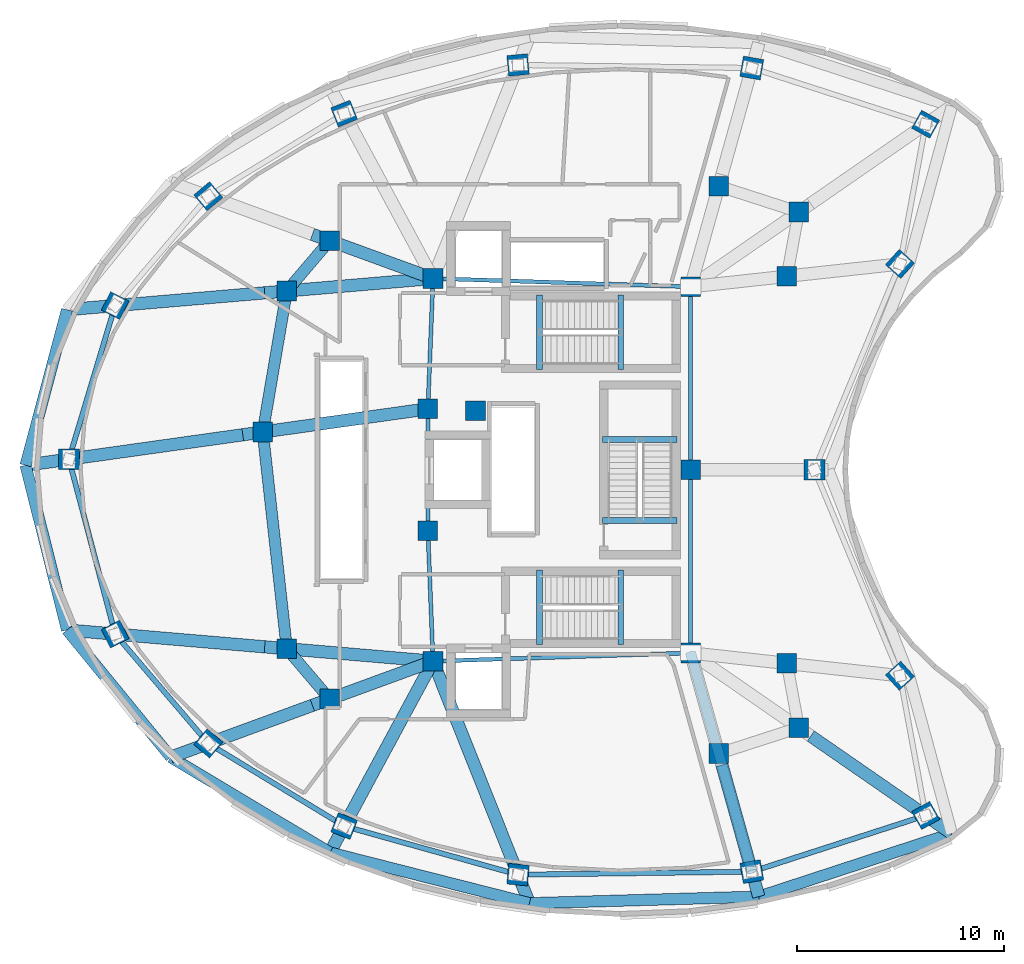
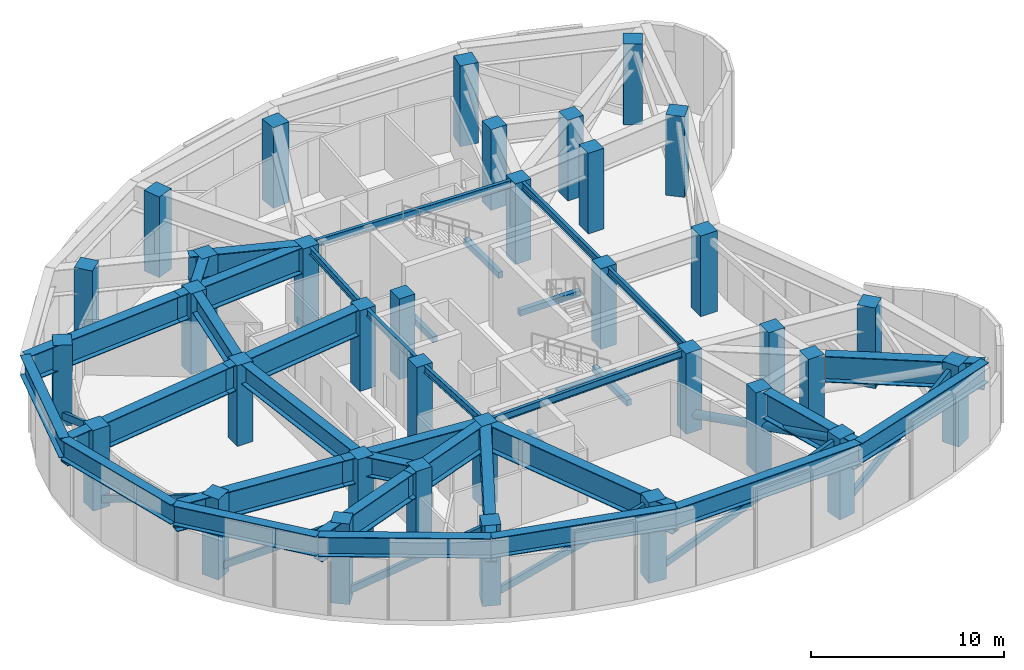
# One storey, part 1 of 10: 37 beams, 35 columns, 8 members.
"""IFC4 building model written with IfcOpenShell, lengths in metres."""

from ifc_helpers import new_model, si_unit, direction, frame, origin, origin_2d, place, context, subcontext, project, spatial, rectangle, hollow_rectangle, hollow_circle, i_section, extrude, material, material_profile, profile_set, type_object, element, save


model = new_model("IFC4")

# Units and contexts
model_context = context("Model", 3, precision=1e-05, world=origin(), true_north=direction((0.0, 1.0)))
body_context = subcontext(model_context, "Body", "Model", "MODEL_VIEW")
ifc_project = project(units=[si_unit("LENGTHUNIT", "METRE"), si_unit("AREAUNIT", "SQUARE_METRE"), si_unit("VOLUMEUNIT", "CUBIC_METRE"), si_unit("PLANEANGLEUNIT", "RADIAN"), si_unit("MASSUNIT", "GRAM", prefix="KILO")], contexts=[model_context])

# Site, building, storey
site_placement = place(None, origin())
site = spatial("IfcSite", under=ifc_project, at=site_placement, CompositionType="ELEMENT")
building_placement = place(site_placement, origin())
building = spatial("IfcBuilding", under=site, at=building_placement, Name="Korentha Bioscience Tower", CompositionType="ELEMENT")
storey_placement = place(building_placement, frame((0.0, 0.0, 213.0)))
storey = spatial("IfcBuildingStorey", under=building, at=storey_placement, Name="L49", CompositionType="ELEMENT", Elevation=213.0)

# Columns
ifc_material_1 = material(Name="Concrete C65", Category="concrete")
ifc_material_profile_1 = material_profile(ifc_material_1, rectangle(XDim=0.949951171875, YDim=0.949951171875, at=origin_2d()), Name="Concrete C65")
ifc_profile_set_1 = profile_set([ifc_material_profile_1], Name="Concrete C65 (COL-CP09)")
column_type_1 = type_object("IfcColumnType", Name="Core Pilaster Column RC 950x950", PredefinedType="PILASTER", material=ifc_profile_set_1)
for number, where, z_axis, x_axis, name in (
    (1, (37.550048828125, 35.85009765625, -0.00048828125), (0.0, 0.0, 1.0), (1.0, 0.0, 0.0), "L49 Core Pilaster CP-01"),
    (2, (25.10009765625, 36.25, -0.00048828125), (0.0, 0.0, 1.0), (1.0, 0.0, 0.0), "L49 Core Pilaster CP-02"),
    (3, (24.85009765625, 29.949951171875, -0.00048828125), (0.0, 0.0, 1.0), (1.0, 0.0, 0.0), "L49 Core Pilaster CP-03"),
    (4, (27.14990234375, 29.85009765625, -0.00048828125), (0.0, 0.0, 1.0), (1.0, 0.0, 0.0), "L49 Core Pilaster CP-04"),
    (5, (24.85009765625, 24.050048828125, -0.00048828125), (0.0, 0.0, 1.0), (1.0, 0.0, 0.0), "L49 Core Pilaster CP-05"),
    (6, (25.10009765625, 17.75, -0.00048828125), (0.0, 0.0, 1.0), (1.0, 0.0, 0.0), "L49 Core Pilaster CP-06"),
    (7, (37.550048828125, 18.14990234375, -0.00048828125), (0.0, 0.0, 1.0), (1.0, 0.0, 0.0), "L49 Core Pilaster CP-07"),
    (8, (37.550048828125, 27.0, -0.00048828125), (0.0, 0.0, 1.0), (1.0, 0.0, 0.0), "L49 Core Pilaster CP-08"),
):
    element("IfcColumn", number, at=place(storey_placement, frame(where, z_axis=z_axis, x_axis=x_axis)), inside=storey, type_object=column_type_1, Name=name, PredefinedType="PILASTER", context=body_context, shape_type="SweptSolid", body=[
        extrude(rectangle(XDim=0.949951171875, YDim=0.949951171875, at=origin_2d()), origin(), (0.0, 0.0, 1.0), 5.10107421875),
    ])
ifc_material_profile_2 = material_profile(ifc_material_1, rectangle(XDim=0.949951171875, YDim=0.949951171875, at=origin_2d()), Name="Concrete C65")
ifc_profile_set_2 = profile_set([ifc_material_profile_2], Name="Concrete C65 (COL-MR09)")
column_type_2 = type_object("IfcColumnType", Name="Mid-Ring Lab Column RC 950x950", PredefinedType="COLUMN", material=ifc_profile_set_2)
for number, where, z_axis, x_axis, name in (
    (9, (42.77685546875, 39.464599609375, -0.00048828125), (0.0, 0.0, 1.0), (1.0, 0.0, 0.0), "L49 Mid-Ring Column 01"),
    (10, (38.9111328125, 40.714111328125, -0.00048828125), (0.0, 0.0, 1.0), (1.0, 0.0, 0.0), "L49 Mid-Ring Column 02"),
    (11, (20.102294921875, 38.07861328125, -0.00048828125), (0.0, 0.0, 1.0), (1.0, 0.0, 0.0), "L49 Mid-Ring Column 05"),
    (12, (18.03125, 35.6474609375, -0.00048828125), (0.0, 0.0, 1.0), (1.0, 0.0, 0.0), "L49 Mid-Ring Column 06"),
    (13, (16.868408203125, 28.830322265625, -0.00048828125), (0.0, 0.0, 1.0), (1.0, 0.0, 0.0), "L49 Mid-Ring Column 07"),
    (14, (18.03125, 18.3525390625, -0.00048828125), (0.0, 0.0, 1.0), (1.0, 0.0, 0.0), "L49 Mid-Ring Column 08"),
    (15, (20.102294921875, 15.92138671875, -0.00048828125), (0.0, 0.0, 1.0), (1.0, 0.0, 0.0), "L49 Mid-Ring Column 09"),
    (16, (38.9111328125, 13.285888671875, -0.00048828125), (0.0, 0.0, 1.0), (1.0, 0.0, 0.0), "L49 Mid-Ring Column 12"),
    (17, (42.77685546875, 14.535400390625, -0.00048828125), (0.0, 0.0, 1.0), (1.0, 0.0, 0.0), "L49 Mid-Ring Column 13"),
    (18, (42.205078125, 17.642822265625, -0.00048828125), (0.0, 0.0, 1.0), (1.0, 0.0, 0.0), "L49 Mid-Ring Column 14"),
    (19, (42.205078125, 36.357177734375, -0.00048828125), (0.0, 0.0, 1.0), (1.0, 0.0, 0.0), "L49 Mid-Ring Column 16"),
):
    element("IfcColumn", number, at=place(storey_placement, frame(where, z_axis=z_axis, x_axis=x_axis)), inside=storey, type_object=column_type_2, Name=name, PredefinedType="COLUMN", context=body_context, shape_type="SweptSolid", body=[
        extrude(rectangle(XDim=0.949951171875, YDim=0.949951171875, at=origin_2d()), origin(), (0.0, 0.0, 1.0), 5.10107421875),
    ])
ifc_material_profile_3 = material_profile(ifc_material_1, rectangle(XDim=1.0, YDim=1.0, at=origin_2d()), Name="Concrete C65")
ifc_profile_set_3 = profile_set([ifc_material_profile_3], Name="Concrete C65 (COL-P10)")
column_type_3 = type_object("IfcColumnType", Name="Perimeter Column RC 1000x1000", PredefinedType="COLUMN", material=ifc_profile_set_3)
for number, where, z_axis, x_axis, name in (
    (20, (48.912841796875, 43.707763671875, -0.00048828125), (0.0, 0.0, 1.0), (-0.874535078577, 0.484962262797, 0.0), "L49 Perimeter Column 01"),
    (21, (40.5087890625, 46.423828125, -0.00048828125), (0.0, 0.0, 1.0), (-0.984868307662, 0.173304404339, 0.0), "L49 Perimeter Column 02"),
    (22, (29.209716796875, 46.57080078125, -0.00048828125), (0.0, 0.0, 1.0), (0.995462868748, 0.095150811579, 0.0), "L49 Perimeter Column 03"),
    (23, (20.802978515625, 44.220458984375, -0.00048828125), (0.0, 0.0, 1.0), (0.930225540858, 0.366988341962, 0.0), "L49 Perimeter Column 04"),
    (24, (14.2353515625, 40.225341796875, -0.00048828125), (0.0, 0.0, 1.0), (0.764246456939, 0.644924300253, 0.0), "L49 Perimeter Column 05"),
    (25, (9.7333984375, 34.93994140625, -0.00048828125), (0.0, 0.0, 1.0), (0.453057191132, 0.891481453292, 0.0), "L49 Perimeter Column 06"),
    (26, (7.4990234375, 27.51611328125, -0.00048828125), (0.0, 0.0, 1.0), (0.0, 1.0, 0.0), "L49 Perimeter Column 07"),
    (27, (9.7333984375, 19.06005859375, -0.00048828125), (0.0, 0.0, 1.0), (-0.453057191132, 0.891481453292, 0.0), "L49 Perimeter Column 08"),
    (28, (14.2353515625, 13.774658203125, -0.00048828125), (0.0, 0.0, 1.0), (-0.764246456939, 0.644924300253, 0.0), "L49 Perimeter Column 09"),
    (29, (20.802978515625, 9.779541015625, -0.00048828125), (0.0, 0.0, 1.0), (-0.930225540858, 0.366988341962, 0.0), "L49 Perimeter Column 10"),
    (30, (29.209716796875, 7.42919921875, -0.00048828125), (0.0, 0.0, 1.0), (-0.995462868748, 0.095150811579, 0.0), "L49 Perimeter Column 11"),
    (31, (40.5087890625, 7.576171875, -0.00048828125), (0.0, 0.0, 1.0), (0.984868307662, 0.173304404339, 0.0), "L49 Perimeter Column 12"),
    (32, (48.912841796875, 10.292236328125, -0.00048828125), (0.0, 0.0, 1.0), (0.874535078577, 0.484962262797, 0.0), "L49 Perimeter Column 13"),
    (33, (47.669921875, 17.04736328125, -0.00048828125), (0.0, 0.0, 1.0), (-0.669130606359, 0.743144825477, 0.0), "L49 Perimeter Column 14"),
    (34, (43.536865234375, 27.0, -0.00048828125), (0.0, 0.0, 1.0), (0.0, 1.0, 0.0), "L49 Perimeter Column 15"),
    (35, (47.669921875, 36.95263671875, -0.00048828125), (0.0, 0.0, 1.0), (0.669130606359, 0.743144825477, 0.0), "L49 Perimeter Column 16"),
):
    element("IfcColumn", number, at=place(storey_placement, frame(where, z_axis=z_axis, x_axis=x_axis)), inside=storey, type_object=column_type_3, Name=name, PredefinedType="COLUMN", context=body_context, shape_type="SweptSolid", body=[
        extrude(rectangle(XDim=1.0, YDim=1.0, at=origin_2d()), origin(), (0.0, 0.0, 1.0), 5.10107421875),
    ])

# Members
ifc_material_2 = material(Name="Steel S355", Category="steel")
ifc_material_profile_4 = material_profile(ifc_material_2, hollow_rectangle(XDim=0.25, YDim=0.39990234375, WallThickness=0.02001953125, at=origin_2d()), Name="Steel S355")
ifc_profile_set_4 = profile_set([ifc_material_profile_4], Name="Steel S355 (BT-D400)")
member_type_1 = type_object("IfcMemberType", Name="Belt-Truss Web Diagonal RHS 400x250x20", PredefinedType="BRACE", material=ifc_profile_set_4)
member_1_placement = place(storey_placement, frame((9.7333984375, 34.93994140625, 0.35009765625), z_axis=(-0.250650558265, -0.832799625844, 0.493577836654), x_axis=(0.957569355343, -0.288202931469, 0.0)))
element("IfcMember", 36, at=member_1_placement, inside=storey, type_object=member_type_1, Name="L49 Perimeter Belt-Truss Diagonal 06", PredefinedType="BRACE", context=body_context, shape_type="SweptSolid", body=[
    extrude(hollow_rectangle(XDim=0.25, YDim=0.39990234375, WallThickness=0.02001953125, at=origin_2d()), origin(), (0.0, 0.0, 1.0), 8.914306640625),
])
member_2_placement = place(storey_placement, frame((7.4990234375, 27.51611328125, 0.35009765625), z_axis=(0.228215654234, -0.863688527103, 0.449399313877), x_axis=(0.966818052118, 0.255465954873, 0.0)))
element("IfcMember", 37, at=member_2_placement, inside=storey, type_object=member_type_1, Name="L49 Perimeter Belt-Truss Diagonal 07", PredefinedType="BRACE", context=body_context, shape_type="SweptSolid", body=[
    extrude(hollow_rectangle(XDim=0.25, YDim=0.39990234375, WallThickness=0.02001953125, at=origin_2d()), origin(), (0.0, 0.0, 1.0), 9.79052734375),
])
member_3_placement = place(storey_placement, frame((9.7333984375, 19.06005859375, 0.35009765625), z_axis=(0.547708072652, -0.64302234625, 0.535292564281), x_axis=(0.76127344642, 0.648430983047, 0.0)))
element("IfcMember", 38, at=member_3_placement, inside=storey, type_object=member_type_1, Name="L49 Perimeter Belt-Truss Diagonal 08", PredefinedType="BRACE", context=body_context, shape_type="SweptSolid", body=[
    extrude(hollow_rectangle(XDim=0.25, YDim=0.39990234375, WallThickness=0.02001953125, at=origin_2d()), origin(), (0.0, 0.0, 1.0), 8.2197265625),
])
member_4_placement = place(storey_placement, frame((14.2353515625, 13.774658203125, 0.35009765625), z_axis=(0.741483366715, -0.45104768644, 0.496747824799), x_axis=(0.519703104755, 0.854346933574, 0.0)))
element("IfcMember", 39, at=member_4_placement, inside=storey, type_object=member_type_1, Name="L49 Perimeter Belt-Truss Diagonal 09", PredefinedType="BRACE", context=body_context, shape_type="SweptSolid", body=[
    extrude(hollow_rectangle(XDim=0.25, YDim=0.39990234375, WallThickness=0.02001953125, at=origin_2d()), origin(), (0.0, 0.0, 1.0), 8.857421875),
])
member_5_placement = place(storey_placement, frame((20.802978515625, 9.779541015625, 0.35009765625), z_axis=(0.859997957436, -0.240436787368, 0.450104059619), x_axis=(0.269253325258, 0.963069388381, 0.0)))
element("IfcMember", 40, at=member_5_placement, inside=storey, type_object=member_type_1, Name="L49 Perimeter Belt-Truss Diagonal 10", PredefinedType="BRACE", context=body_context, shape_type="SweptSolid", body=[
    extrude(hollow_rectangle(XDim=0.25, YDim=0.39990234375, WallThickness=0.02001953125, at=origin_2d()), origin(), (0.0, 0.0, 1.0), 9.775390625),
])
member_6_placement = place(storey_placement, frame((29.209716796875, 7.42919921875, 0.35009765625), z_axis=(0.931774032831, 0.012120048568, 0.362836404133), x_axis=(-0.013006397415, 0.999915413236, 0.0)))
element("IfcMember", 41, at=member_6_placement, inside=storey, type_object=member_type_1, Name="L49 Perimeter Belt-Truss Diagonal 11", PredefinedType="BRACE", context=body_context, shape_type="SweptSolid", body=[
    extrude(hollow_rectangle(XDim=0.25, YDim=0.39990234375, WallThickness=0.02001953125, at=origin_2d()), origin(), (0.0, 0.0, 1.0), 12.12646484375),
])
member_7_placement = place(storey_placement, frame((40.5087890625, 7.576171875, 0.35009765625), z_axis=(0.851704632584, 0.275258229599, 0.445905960795), x_axis=(-0.307523670151, 0.951540431246, 0.0)))
element("IfcMember", 42, at=member_7_placement, inside=storey, type_object=member_type_1, Name="L49 Perimeter Belt-Truss Diagonal 12", PredefinedType="BRACE", context=body_context, shape_type="SweptSolid", body=[
    extrude(hollow_rectangle(XDim=0.25, YDim=0.39990234375, WallThickness=0.02001953125, at=origin_2d()), origin(), (0.0, 0.0, 1.0), 9.867431640625),
])

# Beams
ifc_material_3 = material(Name="Concrete C50", Category="concrete")
ifc_material_profile_5 = material_profile(ifc_material_3, rectangle(XDim=0.280029296875, YDim=0.3798828125, at=origin_2d()), Name="Concrete C50")
ifc_profile_set_5 = profile_set([ifc_material_profile_5], Name="Concrete C50 (ST-HB380)")
beam_type_1 = type_object("IfcBeamType", Name="Concrete Stair Header Beam RC 280x380", PredefinedType="BEAM", material=ifc_profile_set_5)
for number, where, z_axis, x_axis, name in (
    (43, (30.25, 31.85009765625, -0.18994140625), (0.0, 1.0, 0.0), (-1.0, 0.0, 0.0), "L49 ST-1 Concrete Stair Header Beam"),
    (44, (34.169921875, 31.85009765625, 2.510009765625), (0.0, 1.0, 0.0), (-1.0, 0.0, 0.0), "L49 ST-1 Half-Landing Header Beam 1"),
    (45, (30.25, 18.550048828125, -0.18994140625), (0.0, 1.0, 0.0), (-1.0, 0.0, 0.0), "L49 ST-2 Concrete Stair Header Beam"),
    (46, (34.169921875, 18.550048828125, 2.510009765625), (0.0, 1.0, 0.0), (-1.0, 0.0, 0.0), "L49 ST-2 Half-Landing Header Beam 1"),
    (47, (36.89990234375, 24.550048828125, -0.18994140625), (-1.0, 0.0, 0.0), (0.0, -1.0, 0.0), "L49 ST-3 Concrete Stair Header Beam"),
    (48, (36.89990234375, 28.469970703125, 2.510009765625), (-1.0, 0.0, 0.0), (0.0, -1.0, 0.0), "L49 ST-3 Half-Landing Header Beam 1"),
):
    element("IfcBeam", number, at=place(storey_placement, frame(where, z_axis=z_axis, x_axis=x_axis)), inside=storey, type_object=beam_type_1, Name=name, PredefinedType="BEAM", context=body_context, shape_type="SweptSolid", body=[
        extrude(rectangle(XDim=0.280029296875, YDim=0.3798828125, at=origin_2d()), origin(), (0.0, 0.0, 1.0), 3.599853515625),
    ])
ifc_material_profile_6 = material_profile(ifc_material_2, i_section(OverallWidth=0.550048828125, OverallDepth=1.25, WebThickness=0.02392578125, FlangeThickness=0.0400390625, at=origin_2d()), Name="Steel S355")
ifc_profile_set_6 = profile_set([ifc_material_profile_6], Name="Steel S355 (TG-03)")
beam_type_2 = type_object("IfcBeamType", Name="Crown Step Transfer Girder CVS 1250x510", PredefinedType="USERDEFINED", material=ifc_profile_set_6)
beam_1_placement = place(storey_placement, frame((20.102294921875, 38.07861328125, 4.47509765625), z_axis=(-0.648477940418, -0.761233446974, 0.0), x_axis=(0.761233446974, -0.648477940418, 0.0)))
element("IfcBeam", 49, at=beam_1_placement, inside=storey, type_object=beam_type_2, Name="L49 Mid-Ring Tie Girder 05", ObjectType="TRANSFER_GIRDER", PredefinedType="USERDEFINED", context=body_context, shape_type="SweptSolid", body=[
    extrude(i_section(OverallWidth=0.550048828125, OverallDepth=1.25, WebThickness=0.02392578125, FlangeThickness=0.0400390625, at=origin_2d()), origin(), (0.0, 0.0, 1.0), 3.193603515625),
])
beam_2_placement = place(storey_placement, frame((18.03125, 35.6474609375, 4.47509765625), z_axis=(-0.168147535946, -0.985761840484, 0.0), x_axis=(0.985761840484, -0.168147535946, 0.0)))
element("IfcBeam", 50, at=beam_2_placement, inside=storey, type_object=beam_type_2, Name="L49 Mid-Ring Tie Girder 06", ObjectType="TRANSFER_GIRDER", PredefinedType="USERDEFINED", context=body_context, shape_type="SweptSolid", body=[
    extrude(i_section(OverallWidth=0.550048828125, OverallDepth=1.25, WebThickness=0.02392578125, FlangeThickness=0.0400390625, at=origin_2d()), origin(), (0.0, 0.0, 1.0), 6.91552734375),
])
beam_3_placement = place(storey_placement, frame((16.868408203125, 28.830322265625, 4.47509765625), z_axis=(0.110304435267, -0.993897847649, 0.0), x_axis=(0.993897847649, 0.110304435267, 0.0)))
element("IfcBeam", 51, at=beam_3_placement, inside=storey, type_object=beam_type_2, Name="L49 Mid-Ring Tie Girder 07", ObjectType="TRANSFER_GIRDER", PredefinedType="USERDEFINED", context=body_context, shape_type="SweptSolid", body=[
    extrude(i_section(OverallWidth=0.550048828125, OverallDepth=1.25, WebThickness=0.02392578125, FlangeThickness=0.0400390625, at=origin_2d()), origin(), (0.0, 0.0, 1.0), 10.5419921875),
])
beam_4_placement = place(storey_placement, frame((18.03125, 18.3525390625, 4.47509765625), z_axis=(0.648477940418, -0.761233446974, 0.0), x_axis=(0.761233446974, 0.648477940418, 0.0)))
element("IfcBeam", 52, at=beam_4_placement, inside=storey, type_object=beam_type_2, Name="L49 Mid-Ring Tie Girder 08", ObjectType="TRANSFER_GIRDER", PredefinedType="USERDEFINED", context=body_context, shape_type="SweptSolid", body=[
    extrude(i_section(OverallWidth=0.550048828125, OverallDepth=1.25, WebThickness=0.02392578125, FlangeThickness=0.0400390625, at=origin_2d()), origin(), (0.0, 0.0, 1.0), 3.193603515625),
])
beam_5_placement = place(storey_placement, frame((7.4052734375, 34.741455078125, 4.47509765625), z_axis=(-0.257674365533, -0.966231815532, 0.0), x_axis=(0.966231815532, -0.257674365533, 0.0)))
element("IfcBeam", 53, at=beam_5_placement, inside=storey, type_object=beam_type_2, Name="L49 Perimeter Spandrel Girder 06", ObjectType="TRANSFER_GIRDER", PredefinedType="USERDEFINED", context=body_context, shape_type="SweptSolid", body=[
    extrude(i_section(OverallWidth=0.550048828125, OverallDepth=1.25, WebThickness=0.02392578125, FlangeThickness=0.0400390625, at=origin_2d()), origin(), (0.0, 0.0, 1.0), 7.782470703125),
])
beam_6_placement = place(storey_placement, frame((5.39990234375, 27.2216796875, 4.47509765625), z_axis=(0.244207174084, -0.969723082187, 0.0), x_axis=(0.969723082187, 0.244207174084, 0.0)))
element("IfcBeam", 54, at=beam_6_placement, inside=storey, type_object=beam_type_2, Name="L49 Perimeter Spandrel Girder 07", ObjectType="TRANSFER_GIRDER", PredefinedType="USERDEFINED", context=body_context, shape_type="SweptSolid", body=[
    extrude(i_section(OverallWidth=0.550048828125, OverallDepth=1.25, WebThickness=0.02392578125, FlangeThickness=0.0400390625, at=origin_2d()), origin(), (0.0, 0.0, 1.0), 8.211669921875),
])
beam_7_placement = place(storey_placement, frame((7.4052734375, 19.258544921875, 4.47509765625), z_axis=(0.632315820697, -0.774710722074, 0.0), x_axis=(0.774710722074, 0.632315820697, 0.0)))
element("IfcBeam", 55, at=beam_7_placement, inside=storey, type_object=beam_type_2, Name="L49 Perimeter Spandrel Girder 08", ObjectType="TRANSFER_GIRDER", PredefinedType="USERDEFINED", context=body_context, shape_type="SweptSolid", body=[
    extrude(i_section(OverallWidth=0.550048828125, OverallDepth=1.25, WebThickness=0.02392578125, FlangeThickness=0.0400390625, at=origin_2d()), origin(), (0.0, 0.0, 1.0), 7.934814453125),
])
beam_8_placement = place(storey_placement, frame((12.422607421875, 13.111328125, 4.47509765625), z_axis=(0.857644232791, -0.514243492872, 0.0), x_axis=(0.514243492872, 0.857644232791, 0.0)))
element("IfcBeam", 56, at=beam_8_placement, inside=storey, type_object=beam_type_2, Name="L49 Perimeter Spandrel Girder 09", ObjectType="TRANSFER_GIRDER", PredefinedType="USERDEFINED", context=body_context, shape_type="SweptSolid", body=[
    extrude(i_section(OverallWidth=0.550048828125, OverallDepth=1.25, WebThickness=0.02392578125, FlangeThickness=0.0400390625, at=origin_2d()), origin(), (0.0, 0.0, 1.0), 8.96728515625),
])
beam_9_placement = place(storey_placement, frame((20.11328125, 8.5, 4.47509765625), z_axis=(0.969197317616, -0.246285524395, 0.0), x_axis=(0.246285524395, 0.969197317616, 0.0)))
element("IfcBeam", 57, at=beam_9_placement, inside=storey, type_object=beam_type_2, Name="L49 Perimeter Spandrel Girder 10", ObjectType="TRANSFER_GIRDER", PredefinedType="USERDEFINED", context=body_context, shape_type="SweptSolid", body=[
    extrude(i_section(OverallWidth=0.550048828125, OverallDepth=1.25, WebThickness=0.02392578125, FlangeThickness=0.0400390625, at=origin_2d()), origin(), (0.0, 0.0, 1.0), 9.95263671875),
])
beam_10_placement = place(storey_placement, frame((29.75927734375, 6.048828125, 4.47509765625), z_axis=(0.999586140554, 0.028767127286, 0.0), x_axis=(-0.028767127286, 0.999586140554, 0.0)))
element("IfcBeam", 58, at=beam_10_placement, inside=storey, type_object=beam_type_2, Name="L49 Perimeter Spandrel Girder 11", ObjectType="TRANSFER_GIRDER", PredefinedType="USERDEFINED", context=body_context, shape_type="SweptSolid", body=[
    extrude(i_section(OverallWidth=0.550048828125, OverallDepth=1.25, WebThickness=0.02392578125, FlangeThickness=0.0400390625, at=origin_2d()), origin(), (0.0, 0.0, 1.0), 11.09228515625),
])
beam_11_placement = place(storey_placement, frame((40.846923828125, 6.367919921875, 4.47509765625), z_axis=(0.950449256032, 0.310879738338, 0.0), x_axis=(-0.310879738338, 0.950449256032, 0.0)))
element("IfcBeam", 59, at=beam_11_placement, inside=storey, type_object=beam_type_2, Name="L49 Perimeter Spandrel Girder 12", ObjectType="TRANSFER_GIRDER", PredefinedType="USERDEFINED", context=body_context, shape_type="SweptSolid", body=[
    extrude(i_section(OverallWidth=0.550048828125, OverallDepth=1.25, WebThickness=0.02392578125, FlangeThickness=0.0400390625, at=origin_2d()), origin(), (0.0, 0.0, 1.0), 9.81494140625),
])
ifc_material_profile_7 = material_profile(ifc_material_2, i_section(OverallWidth=0.60009765625, OverallDepth=1.64990234375, WebThickness=0.02587890625, FlangeThickness=0.0439453125, at=origin_2d()), Name="Steel S355")
ifc_profile_set_7 = profile_set([ifc_material_profile_7], Name="Steel S355 (TG-04)")
beam_type_3 = type_object("IfcBeamType", Name="Deep Setback Transfer Girder CVS 1650x620", PredefinedType="USERDEFINED", material=ifc_profile_set_7)
beam_12_placement = place(storey_placement, frame((25.10009765625, 36.25, 4.27490234375), z_axis=(-0.939112022558, 0.343611130622, 0.0), x_axis=(-0.343611130622, -0.939112022558, 0.0)))
element("IfcBeam", 60, at=beam_12_placement, inside=storey, type_object=beam_type_3, Name="L49 Inner Radial Transfer Girder 05", ObjectType="TRANSFER_GIRDER", PredefinedType="USERDEFINED", context=body_context, shape_type="SweptSolid", body=[
    extrude(i_section(OverallWidth=0.60009765625, OverallDepth=1.64990234375, WebThickness=0.02587890625, FlangeThickness=0.0439453125, at=origin_2d()), origin(), (0.0, 0.0, 1.0), 6.2099609375),
])
beam_13_placement = place(storey_placement, frame((25.10009765625, 36.25, 4.27490234375), z_axis=(-0.996383970884, -0.084964595957, 0.0), x_axis=(0.084964595957, -0.996383970884, 0.0)))
element("IfcBeam", 61, at=beam_13_placement, inside=storey, type_object=beam_type_3, Name="L49 Inner Radial Transfer Girder 06", ObjectType="TRANSFER_GIRDER", PredefinedType="USERDEFINED", context=body_context, shape_type="SweptSolid", body=[
    extrude(i_section(OverallWidth=0.60009765625, OverallDepth=1.64990234375, WebThickness=0.02587890625, FlangeThickness=0.0439453125, at=origin_2d()), origin(), (0.0, 0.0, 1.0), 8.169189453125),
])
beam_14_placement = place(storey_placement, frame((16.96044921875, 35.555908203125, 4.27490234375), z_axis=(-0.996387014591, -0.084928894698, 0.0), x_axis=(0.084928894698, -0.996387014591, 0.0)))
element("IfcBeam", 62, at=beam_14_placement, inside=storey, type_object=beam_type_3, Name="L49 Outer Radial Transfer Girder 06", ObjectType="TRANSFER_GIRDER", PredefinedType="USERDEFINED", context=body_context, shape_type="SweptSolid", body=[
    extrude(i_section(OverallWidth=0.60009765625, OverallDepth=1.64990234375, WebThickness=0.02587890625, FlangeThickness=0.0439453125, at=origin_2d()), origin(), (0.0, 0.0, 1.0), 9.58984375),
])
beam_15_placement = place(storey_placement, frame((24.85009765625, 29.949951171875, 4.27490234375), z_axis=(-0.990303045163, -0.138924003471, 0.0), x_axis=(0.138924003471, -0.990303045163, 0.0)))
element("IfcBeam", 63, at=beam_15_placement, inside=storey, type_object=beam_type_3, Name="L49 Inner Radial Transfer Girder 07", ObjectType="TRANSFER_GIRDER", PredefinedType="USERDEFINED", context=body_context, shape_type="SweptSolid", body=[
    extrude(i_section(OverallWidth=0.60009765625, OverallDepth=1.64990234375, WebThickness=0.02587890625, FlangeThickness=0.0439453125, at=origin_2d()), origin(), (0.0, 0.0, 1.0), 9.03466796875),
])
beam_16_placement = place(storey_placement, frame((15.903076171875, 28.69482421875, 4.27490234375), z_axis=(-0.990306757518, -0.138897537827, 0.0), x_axis=(0.138897537827, -0.990306757518, 0.0)))
element("IfcBeam", 64, at=beam_16_placement, inside=storey, type_object=beam_type_3, Name="L49 Outer Radial Transfer Girder 07", ObjectType="TRANSFER_GIRDER", PredefinedType="USERDEFINED", context=body_context, shape_type="SweptSolid", body=[
    extrude(i_section(OverallWidth=0.60009765625, OverallDepth=1.64990234375, WebThickness=0.02587890625, FlangeThickness=0.0439453125, at=origin_2d()), origin(), (0.0, 0.0, 1.0), 10.60595703125),
])
beam_17_placement = place(storey_placement, frame((25.10009765625, 17.75, 4.27490234375), z_axis=(-0.996383970884, 0.084964595957, 0.0), x_axis=(-0.084964595957, -0.996383970884, 0.0)))
element("IfcBeam", 65, at=beam_17_placement, inside=storey, type_object=beam_type_3, Name="L49 Inner Radial Transfer Girder 08", ObjectType="TRANSFER_GIRDER", PredefinedType="USERDEFINED", context=body_context, shape_type="SweptSolid", body=[
    extrude(i_section(OverallWidth=0.60009765625, OverallDepth=1.64990234375, WebThickness=0.02587890625, FlangeThickness=0.0439453125, at=origin_2d()), origin(), (0.0, 0.0, 1.0), 8.169189453125),
])
beam_18_placement = place(storey_placement, frame((16.96044921875, 18.444091796875, 4.27490234375), z_axis=(-0.996387014591, 0.084928894698, 0.0), x_axis=(-0.084928894698, -0.996387014591, 0.0)))
element("IfcBeam", 66, at=beam_18_placement, inside=storey, type_object=beam_type_3, Name="L49 Outer Radial Transfer Girder 08", ObjectType="TRANSFER_GIRDER", PredefinedType="USERDEFINED", context=body_context, shape_type="SweptSolid", body=[
    extrude(i_section(OverallWidth=0.60009765625, OverallDepth=1.64990234375, WebThickness=0.02587890625, FlangeThickness=0.0439453125, at=origin_2d()), origin(), (0.0, 0.0, 1.0), 9.58984375),
])
beam_19_placement = place(storey_placement, frame((25.10009765625, 17.75, 4.27490234375), z_axis=(-0.939112022558, -0.343611130622, 0.0), x_axis=(0.343611130622, -0.939112022558, 0.0)))
element("IfcBeam", 67, at=beam_19_placement, inside=storey, type_object=beam_type_3, Name="L49 Inner Radial Transfer Girder 09", ObjectType="TRANSFER_GIRDER", PredefinedType="USERDEFINED", context=body_context, shape_type="SweptSolid", body=[
    extrude(i_section(OverallWidth=0.60009765625, OverallDepth=1.64990234375, WebThickness=0.02587890625, FlangeThickness=0.0439453125, at=origin_2d()), origin(), (0.0, 0.0, 1.0), 6.2099609375),
])
beam_20_placement = place(storey_placement, frame((19.268310546875, 15.6162109375, 4.27490234375), z_axis=(-0.939107036581, -0.343624757322, 0.0), x_axis=(0.343624757322, -0.939107036581, 0.0)))
element("IfcBeam", 68, at=beam_20_placement, inside=storey, type_object=beam_type_3, Name="L49 Outer Radial Transfer Girder 09", ObjectType="TRANSFER_GIRDER", PredefinedType="USERDEFINED", context=body_context, shape_type="SweptSolid", body=[
    extrude(i_section(OverallWidth=0.60009765625, OverallDepth=1.64990234375, WebThickness=0.02587890625, FlangeThickness=0.0439453125, at=origin_2d()), origin(), (0.0, 0.0, 1.0), 7.28955078125),
])
beam_21_placement = place(storey_placement, frame((25.10009765625, 17.75, 4.27490234375), z_axis=(-0.474545867703, -0.880230776243, 0.0), x_axis=(0.880230776243, -0.474545867703, 0.0)))
element("IfcBeam", 69, at=beam_21_placement, inside=storey, type_object=beam_type_3, Name="L49 Radial Transfer Girder 10", ObjectType="TRANSFER_GIRDER", PredefinedType="USERDEFINED", context=body_context, shape_type="SweptSolid", body=[
    extrude(i_section(OverallWidth=0.60009765625, OverallDepth=1.64990234375, WebThickness=0.02587890625, FlangeThickness=0.0439453125, at=origin_2d()), origin(), (0.0, 0.0, 1.0), 10.508544921875),
])
beam_22_placement = place(storey_placement, frame((25.10009765625, 17.75, 4.27490234375), z_axis=(0.369933042289, -0.929058418089, 0.0), x_axis=(0.929058418089, 0.369933042289, 0.0)))
element("IfcBeam", 70, at=beam_22_placement, inside=storey, type_object=beam_type_3, Name="L49 Radial Transfer Girder 11", ObjectType="TRANSFER_GIRDER", PredefinedType="USERDEFINED", context=body_context, shape_type="SweptSolid", body=[
    extrude(i_section(OverallWidth=0.60009765625, OverallDepth=1.64990234375, WebThickness=0.02587890625, FlangeThickness=0.0439453125, at=origin_2d()), origin(), (0.0, 0.0, 1.0), 12.5947265625),
])
beam_23_placement = place(storey_placement, frame((39.066650390625, 12.730224609375, 4.27490234375), z_axis=(0.269465439817, -0.963010060562, 0.0), x_axis=(0.963010060562, 0.269465439817, 0.0)))
element("IfcBeam", 71, at=beam_23_placement, inside=storey, type_object=beam_type_3, Name="L49 Outer Radial Transfer Girder 12", ObjectType="TRANSFER_GIRDER", PredefinedType="USERDEFINED", context=body_context, shape_type="SweptSolid", body=[
    extrude(i_section(OverallWidth=0.60009765625, OverallDepth=1.64990234375, WebThickness=0.02587890625, FlangeThickness=0.0439453125, at=origin_2d()), origin(), (0.0, 0.0, 1.0), 6.606689453125),
])
beam_24_placement = place(storey_placement, frame((43.357666015625, 14.1337890625, 4.27490234375), z_axis=(0.82250061903, -0.568764214499, 0.0), x_axis=(0.568764214499, 0.82250061903, 0.0)))
element("IfcBeam", 72, at=beam_24_placement, inside=storey, type_object=beam_type_3, Name="L49 Outer Radial Transfer Girder 13", ObjectType="TRANSFER_GIRDER", PredefinedType="USERDEFINED", context=body_context, shape_type="SweptSolid", body=[
    extrude(i_section(OverallWidth=0.60009765625, OverallDepth=1.64990234375, WebThickness=0.02587890625, FlangeThickness=0.0439453125, at=origin_2d()), origin(), (0.0, 0.0, 1.0), 8.289306640625),
])
ifc_material_profile_8 = material_profile(ifc_material_2, i_section(OverallWidth=0.18994140625, OverallDepth=0.45703125, WebThickness=0.009033203125, FlangeThickness=0.014404296875, at=origin_2d()), Name="Steel S355")
ifc_profile_set_8 = profile_set([ifc_material_profile_8], Name="Steel S355 (MB-460)")
beam_type_4 = type_object("IfcBeamType", Name="Mid-Ring Tie Girder W460x74", PredefinedType="BEAM", material=ifc_profile_set_8)
beam_25_placement = place(storey_placement, frame((37.550048828125, 35.85009765625, 4.87158203125), z_axis=(-0.999484526071, 0.032104238723, 0.0), x_axis=(-0.032104238723, -0.999484526071, 0.0)))
element("IfcBeam", 73, at=beam_25_placement, inside=storey, type_object=beam_type_4, Name="L49 Core Ring Tie Girder 01", PredefinedType="BEAM", context=body_context, shape_type="SweptSolid", body=[
    extrude(i_section(OverallWidth=0.18994140625, OverallDepth=0.45703125, WebThickness=0.009033203125, FlangeThickness=0.014404296875, at=origin_2d()), origin(), (0.0, 0.0, 1.0), 12.456298828125),
])
beam_26_placement = place(storey_placement, frame((25.10009765625, 36.25, 4.87158203125), z_axis=(-0.039651025576, -0.999213588864, 0.0), x_axis=(0.999213588864, -0.039651025576, 0.0)))
element("IfcBeam", 74, at=beam_26_placement, inside=storey, type_object=beam_type_4, Name="L49 Core Ring Tie Girder 02", PredefinedType="BEAM", context=body_context, shape_type="SweptSolid", body=[
    extrude(i_section(OverallWidth=0.18994140625, OverallDepth=0.45703125, WebThickness=0.009033203125, FlangeThickness=0.014404296875, at=origin_2d()), origin(), (0.0, 0.0, 1.0), 6.304931640625),
])
beam_27_placement = place(storey_placement, frame((24.85009765625, 29.949951171875, 4.87158203125), z_axis=(0.0, -1.0, 0.0), x_axis=(1.0, 0.0, 0.0)))
element("IfcBeam", 75, at=beam_27_placement, inside=storey, type_object=beam_type_4, Name="L49 Core Ring Tie Girder 03", PredefinedType="BEAM", context=body_context, shape_type="SweptSolid", body=[
    extrude(i_section(OverallWidth=0.18994140625, OverallDepth=0.45703125, WebThickness=0.009033203125, FlangeThickness=0.014404296875, at=origin_2d()), origin(), (0.0, 0.0, 1.0), 5.89990234375),
])
beam_28_placement = place(storey_placement, frame((24.85009765625, 24.050048828125, 4.87158203125), z_axis=(0.039651025576, -0.999213588864, 0.0), x_axis=(0.999213588864, 0.039651025576, 0.0)))
element("IfcBeam", 76, at=beam_28_placement, inside=storey, type_object=beam_type_4, Name="L49 Core Ring Tie Girder 04", PredefinedType="BEAM", context=body_context, shape_type="SweptSolid", body=[
    extrude(i_section(OverallWidth=0.18994140625, OverallDepth=0.45703125, WebThickness=0.009033203125, FlangeThickness=0.014404296875, at=origin_2d()), origin(), (0.0, 0.0, 1.0), 6.304931640625),
])
beam_29_placement = place(storey_placement, frame((25.10009765625, 17.75, 4.87158203125), z_axis=(0.999484526071, 0.032104238723, 0.0), x_axis=(-0.032104238723, 0.999484526071, 0.0)))
element("IfcBeam", 77, at=beam_29_placement, inside=storey, type_object=beam_type_4, Name="L49 Core Ring Tie Girder 05", PredefinedType="BEAM", context=body_context, shape_type="SweptSolid", body=[
    extrude(i_section(OverallWidth=0.18994140625, OverallDepth=0.45703125, WebThickness=0.009033203125, FlangeThickness=0.014404296875, at=origin_2d()), origin(), (0.0, 0.0, 1.0), 12.456298828125),
])
for number, where, z_axis, x_axis, name in (
    (78, (37.550048828125, 18.14990234375, 4.87158203125), (0.0, 1.0, 0.0), (-1.0, 0.0, 0.0), "L49 Core Ring Tie Girder 06"),
    (79, (37.550048828125, 27.0, 4.87158203125), (0.0, 1.0, 0.0), (-1.0, 0.0, 0.0), "L49 Core Ring Tie Girder 07"),
):
    element("IfcBeam", number, at=place(storey_placement, frame(where, z_axis=z_axis, x_axis=x_axis)), inside=storey, type_object=beam_type_4, Name=name, PredefinedType="BEAM", context=body_context, shape_type="SweptSolid", body=[
        extrude(i_section(OverallWidth=0.18994140625, OverallDepth=0.45703125, WebThickness=0.009033203125, FlangeThickness=0.014404296875, at=origin_2d()), origin(), (0.0, 0.0, 1.0), 8.85009765625),
    ])

# Member
ifc_material_profile_9 = material_profile(ifc_material_2, hollow_circle(Radius=0.25390625, WallThickness=0.02490234375, at=origin_2d()), Name="Steel S355")
ifc_profile_set_9 = profile_set([ifc_material_profile_9], Name="Steel S355 (OU-508)")
member_type_2 = type_object("IfcMemberType", Name="Outrigger Diagonal Brace CHS 508x25", PredefinedType="USERDEFINED", material=ifc_profile_set_9)
member_8_placement = place(storey_placement, frame((37.550048828125, 18.14990234375, 0.89990234375), z_axis=(0.255006568522, -0.911323911437, 0.323203308235), x_axis=(0.963009037631, 0.269469095522, 0.0)))
element("IfcMember", 80, at=member_8_placement, inside=storey, type_object=member_type_2, Name="L49 Outrigger Truss Diagonal 03", ObjectType="OUTRIGGER", PredefinedType="USERDEFINED", context=body_context, shape_type="SweptSolid", body=[
    extrude(hollow_circle(Radius=0.25390625, WallThickness=0.02490234375, at=origin_2d()), origin(), (0.0, 0.0, 1.0), 11.6025390625),
])

save(model, "model.ifc")
